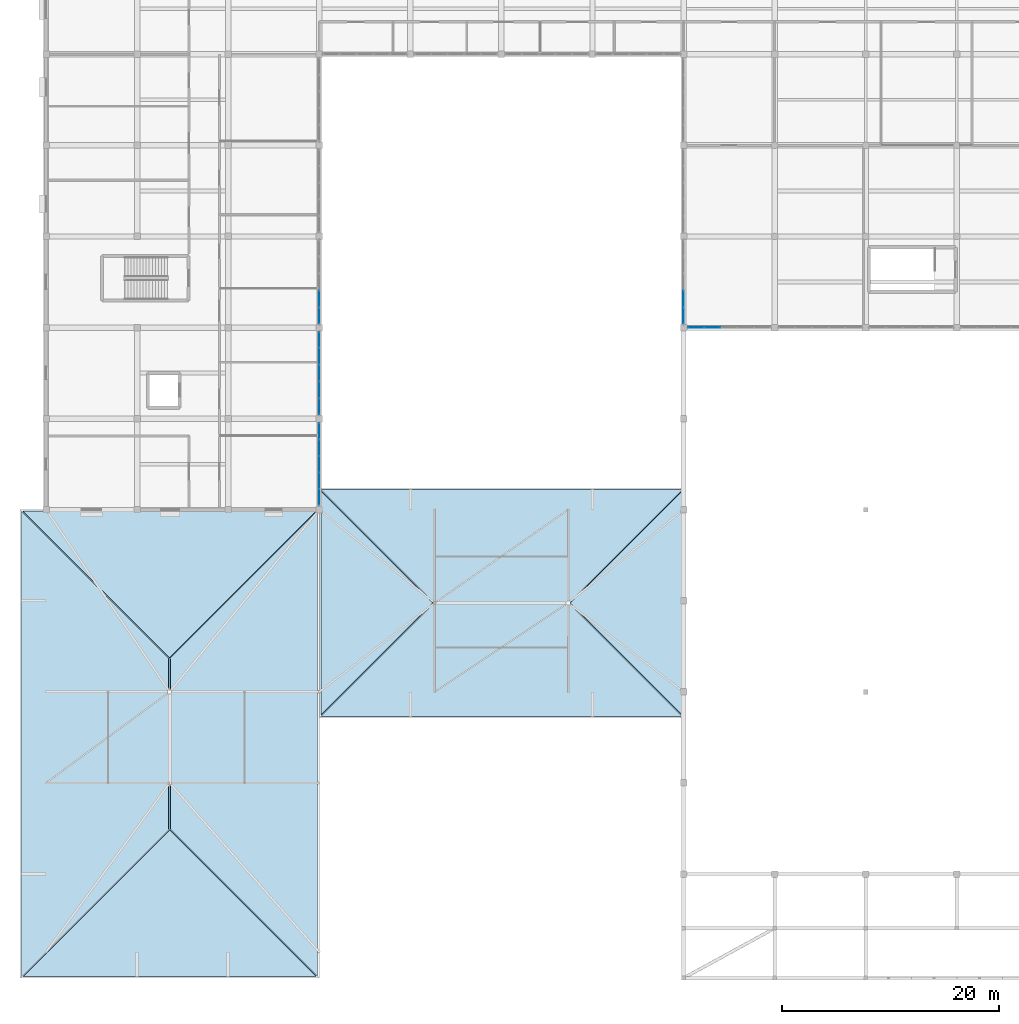
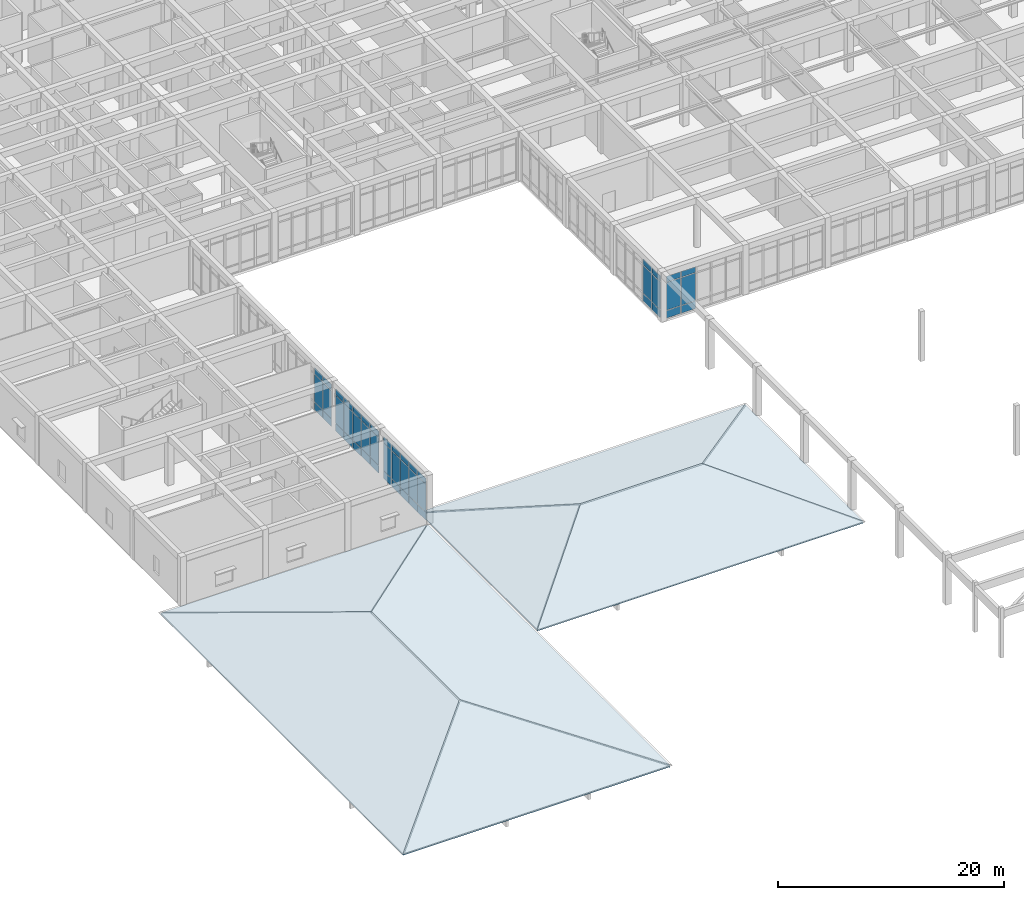
# One storey, part 39 of 89: 48 plates, 8 slabs, 5 elements without a shape of their own.
"""IFC4 building model written with IfcOpenShell, lengths in metres."""

from ifc_helpers import new_model, si_unit, direction, frame, origin, origin_2d, place, context, subcontext, project, spatial, polyline, rectangle, outline, extrude, material, layer, layer_set, type_object, element, aggregate, save


model = new_model("IFC4")

# Units and contexts
model_context = context("Model", 3, precision=1e-05, world=origin(), true_north=direction((0.0, 1.0)))
body_context = subcontext(model_context, "Body", "Model", "MODEL_VIEW")
ifc_project = project(units=[si_unit("LENGTHUNIT", "METRE"), si_unit("AREAUNIT", "SQUARE_METRE"), si_unit("VOLUMEUNIT", "CUBIC_METRE"), si_unit("PLANEANGLEUNIT", "RADIAN"), si_unit("MASSUNIT", "GRAM", prefix="KILO")], contexts=[model_context])

# Site, building, storey
site_placement = place(None, origin())
site = spatial("IfcSite", under=ifc_project, at=site_placement, CompositionType="ELEMENT")
building_placement = place(site_placement, origin())
building = spatial("IfcBuilding", under=site, at=building_placement, Name="Varncliffe General Hospital", CompositionType="ELEMENT")
storey_placement = place(building_placement, frame((0.0, 0.0, 10.800048828125)))
storey = spatial("IfcBuildingStorey", under=building, at=storey_placement, Name="L02", CompositionType="ELEMENT", Elevation=10.800048828125)

# Curtain wall, plates
ifc_material_1 = material(Name="Triple low-E argon insulated vision glazing", Category="glass")
curtain_wall_type_1 = type_object("IfcCurtainWallType", Name="Unitised Glazed Curtain Wall CW70 (7724x4640)", PredefinedType="USERDEFINED", material=ifc_material_1)
curtain_wall_1_placement = place(storey_placement, origin())
curtain_wall_1 = element("IfcCurtainWall", 1, at=curtain_wall_1_placement, inside=storey, type_object=curtain_wall_type_1, Name="L02 Glazed Curtain Wall CW70-151", ObjectType="GLAZED CURTAIN WALL", PredefinedType="USERDEFINED")
ifc_layer_1 = layer(ifc_material_1, 0.0439453125)
ifc_layer_set_1 = layer_set([ifc_layer_1], Name="Triple low-E argon insulated vision glazing")
plate_type_1 = type_object("IfcPlateType", Name="Curtain Wall Glazing Panel CP12 (44mm)", PredefinedType="CURTAIN_PANEL", material=ifc_layer_set_1)
plate_1_placement = place(storey_placement, frame((25.199951171875, 56.470947265625, 0.059814453125), z_axis=(0.0, 0.0, 1.0), x_axis=(0.0, -1.0, 0.0)))
plate_1 = element("IfcPlate", 2, at=plate_1_placement, type_object=plate_type_1, Name="CW70 panel 1.1", PredefinedType="CURTAIN_PANEL", context=body_context, shape_type="SweptSolid", body=[
    extrude(rectangle(XDim=1.432373046875, YDim=0.0439453125, at=origin_2d()), origin(), (0.0, 0.0, 1.0), 0.81005859375),
])
plate_2_placement = place(storey_placement, frame((25.199951171875, 56.470947265625, 0.929931640625), z_axis=(0.0, 0.0, 1.0), x_axis=(0.0, -1.0, 0.0)))
plate_2 = element("IfcPlate", 3, at=plate_2_placement, type_object=plate_type_1, Name="CW70 panel 1.2", PredefinedType="CURTAIN_PANEL", context=body_context, shape_type="SweptSolid", body=[
    extrude(rectangle(XDim=1.432373046875, YDim=0.0439453125, at=origin_2d()), origin(), (0.0, 0.0, 1.0), 2.97998046875),
])
plate_3_placement = place(storey_placement, frame((25.199951171875, 56.470947265625, 3.9697265625), z_axis=(0.0, 0.0, 1.0), x_axis=(0.0, -1.0, 0.0)))
plate_3 = element("IfcPlate", 4, at=plate_3_placement, type_object=plate_type_1, Name="CW70 panel 1.3", PredefinedType="CURTAIN_PANEL", context=body_context, shape_type="SweptSolid", body=[
    extrude(rectangle(XDim=1.432373046875, YDim=0.0439453125, at=origin_2d()), origin(), (0.0, 0.0, 1.0), 0.610107421875),
])
plate_4_placement = place(storey_placement, frame((25.199951171875, 54.94482421875, 0.059814453125), z_axis=(0.0, 0.0, 1.0), x_axis=(0.0, -1.0, 0.0)))
plate_4 = element("IfcPlate", 5, at=plate_4_placement, type_object=plate_type_1, Name="CW70 panel 2.1", PredefinedType="CURTAIN_PANEL", context=body_context, shape_type="SweptSolid", body=[
    extrude(rectangle(XDim=1.4697265625, YDim=0.0439453125, at=origin_2d()), origin(), (0.0, 0.0, 1.0), 0.81005859375),
])
plate_5_placement = place(storey_placement, frame((25.199951171875, 54.94482421875, 0.929931640625), z_axis=(0.0, 0.0, 1.0), x_axis=(0.0, -1.0, 0.0)))
plate_5 = element("IfcPlate", 6, at=plate_5_placement, type_object=plate_type_1, Name="CW70 panel 2.2", PredefinedType="CURTAIN_PANEL", context=body_context, shape_type="SweptSolid", body=[
    extrude(rectangle(XDim=1.4697265625, YDim=0.0439453125, at=origin_2d()), origin(), (0.0, 0.0, 1.0), 2.97998046875),
])
plate_6_placement = place(storey_placement, frame((25.199951171875, 54.94482421875, 3.9697265625), z_axis=(0.0, 0.0, 1.0), x_axis=(0.0, -1.0, 0.0)))
plate_6 = element("IfcPlate", 7, at=plate_6_placement, type_object=plate_type_1, Name="CW70 panel 2.3", PredefinedType="CURTAIN_PANEL", context=body_context, shape_type="SweptSolid", body=[
    extrude(rectangle(XDim=1.4697265625, YDim=0.0439453125, at=origin_2d()), origin(), (0.0, 0.0, 1.0), 0.610107421875),
])
plate_7_placement = place(storey_placement, frame((25.199951171875, 53.39990234375, 0.059814453125), z_axis=(0.0, 0.0, 1.0), x_axis=(0.0, -1.0, 0.0)))
plate_7 = element("IfcPlate", 8, at=plate_7_placement, type_object=plate_type_1, Name="CW70 panel 3.1", PredefinedType="CURTAIN_PANEL", context=body_context, shape_type="SweptSolid", body=[
    extrude(rectangle(XDim=1.4697265625, YDim=0.0439453125, at=origin_2d()), origin(), (0.0, 0.0, 1.0), 0.81005859375),
])
plate_8_placement = place(storey_placement, frame((25.199951171875, 53.39990234375, 0.929931640625), z_axis=(0.0, 0.0, 1.0), x_axis=(0.0, -1.0, 0.0)))
plate_8 = element("IfcPlate", 9, at=plate_8_placement, type_object=plate_type_1, Name="CW70 panel 3.2", PredefinedType="CURTAIN_PANEL", context=body_context, shape_type="SweptSolid", body=[
    extrude(rectangle(XDim=1.4697265625, YDim=0.0439453125, at=origin_2d()), origin(), (0.0, 0.0, 1.0), 2.97998046875),
])
plate_9_placement = place(storey_placement, frame((25.199951171875, 53.39990234375, 3.9697265625), z_axis=(0.0, 0.0, 1.0), x_axis=(0.0, -1.0, 0.0)))
plate_9 = element("IfcPlate", 10, at=plate_9_placement, type_object=plate_type_1, Name="CW70 panel 3.3", PredefinedType="CURTAIN_PANEL", context=body_context, shape_type="SweptSolid", body=[
    extrude(rectangle(XDim=1.4697265625, YDim=0.0439453125, at=origin_2d()), origin(), (0.0, 0.0, 1.0), 0.610107421875),
])
plate_10_placement = place(storey_placement, frame((25.199951171875, 51.855224609375, 0.059814453125), z_axis=(0.0, 0.0, 1.0), x_axis=(0.0, -1.0, 0.0)))
plate_10 = element("IfcPlate", 11, at=plate_10_placement, type_object=plate_type_1, Name="CW70 panel 4.1", PredefinedType="CURTAIN_PANEL", context=body_context, shape_type="SweptSolid", body=[
    extrude(rectangle(XDim=1.4697265625, YDim=0.0439453125, at=origin_2d()), origin(), (0.0, 0.0, 1.0), 0.81005859375),
])
plate_11_placement = place(storey_placement, frame((25.199951171875, 51.855224609375, 0.929931640625), z_axis=(0.0, 0.0, 1.0), x_axis=(0.0, -1.0, 0.0)))
plate_11 = element("IfcPlate", 12, at=plate_11_placement, type_object=plate_type_1, Name="CW70 panel 4.2", PredefinedType="CURTAIN_PANEL", context=body_context, shape_type="SweptSolid", body=[
    extrude(rectangle(XDim=1.4697265625, YDim=0.0439453125, at=origin_2d()), origin(), (0.0, 0.0, 1.0), 2.97998046875),
])
plate_12_placement = place(storey_placement, frame((25.199951171875, 51.855224609375, 3.9697265625), z_axis=(0.0, 0.0, 1.0), x_axis=(0.0, -1.0, 0.0)))
plate_12 = element("IfcPlate", 13, at=plate_12_placement, type_object=plate_type_1, Name="CW70 panel 4.3", PredefinedType="CURTAIN_PANEL", context=body_context, shape_type="SweptSolid", body=[
    extrude(rectangle(XDim=1.4697265625, YDim=0.0439453125, at=origin_2d()), origin(), (0.0, 0.0, 1.0), 0.610107421875),
])
plate_13_placement = place(storey_placement, frame((25.199951171875, 50.3291015625, 0.059814453125), z_axis=(0.0, 0.0, 1.0), x_axis=(0.0, -1.0, 0.0)))
plate_13 = element("IfcPlate", 14, at=plate_13_placement, type_object=plate_type_1, Name="CW70 panel 5.1", PredefinedType="CURTAIN_PANEL", context=body_context, shape_type="SweptSolid", body=[
    extrude(rectangle(XDim=1.432373046875, YDim=0.0439453125, at=origin_2d()), origin(), (0.0, 0.0, 1.0), 0.81005859375),
])
plate_14_placement = place(storey_placement, frame((25.199951171875, 50.3291015625, 0.929931640625), z_axis=(0.0, 0.0, 1.0), x_axis=(0.0, -1.0, 0.0)))
plate_14 = element("IfcPlate", 15, at=plate_14_placement, type_object=plate_type_1, Name="CW70 panel 5.2", PredefinedType="CURTAIN_PANEL", context=body_context, shape_type="SweptSolid", body=[
    extrude(rectangle(XDim=1.432373046875, YDim=0.0439453125, at=origin_2d()), origin(), (0.0, 0.0, 1.0), 2.97998046875),
])
plate_15_placement = place(storey_placement, frame((25.199951171875, 50.3291015625, 3.9697265625), z_axis=(0.0, 0.0, 1.0), x_axis=(0.0, -1.0, 0.0)))
plate_15 = element("IfcPlate", 16, at=plate_15_placement, type_object=plate_type_1, Name="CW70 panel 5.3", PredefinedType="CURTAIN_PANEL", context=body_context, shape_type="SweptSolid", body=[
    extrude(rectangle(XDim=1.432373046875, YDim=0.0439453125, at=origin_2d()), origin(), (0.0, 0.0, 1.0), 0.610107421875),
])
aggregate(curtain_wall_1, [plate_1, plate_2, plate_3, plate_4, plate_5, plate_6, plate_7, plate_8, plate_9, plate_10, plate_11, plate_12, plate_13, plate_14, plate_15])

curtain_wall_type_2 = type_object("IfcCurtainWallType", Name="Unitised Glazed Curtain Wall CW85 (7804x4640)", PredefinedType="USERDEFINED", material=ifc_material_1)
curtain_wall_2_placement = place(storey_placement, origin())
curtain_wall_2 = element("IfcCurtainWall", 17, at=curtain_wall_2_placement, inside=storey, type_object=curtain_wall_type_2, Name="L02 Glazed Curtain Wall CW85-141", ObjectType="GLAZED CURTAIN WALL", PredefinedType="USERDEFINED")
ifc_layer_2 = layer(ifc_material_1, 0.035888671875)
ifc_layer_set_2 = layer_set([ifc_layer_2], Name="Triple low-E argon insulated vision glazing")
plate_type_2 = type_object("IfcPlateType", Name="Curtain Wall Glazing Panel CP27 (36mm)", PredefinedType="CURTAIN_PANEL", material=ifc_layer_set_2)
plate_16_placement = place(storey_placement, frame((58.800048828125, 58.697265625, 0.06494140625), z_axis=(0.0, 0.0, 1.0), x_axis=(0.0, 1.0, 0.0)))
plate_16 = element("IfcPlate", 18, at=plate_16_placement, type_object=plate_type_2, Name="CW85 panel 1.1", PredefinedType="CURTAIN_PANEL", context=body_context, shape_type="SweptSolid", body=[
    extrude(rectangle(XDim=1.4482421875, YDim=0.035888671875, at=origin_2d()), origin(), (0.0, 0.0, 1.0), 0.802490234375),
])
plate_17_placement = place(storey_placement, frame((58.800048828125, 58.697265625, 0.932373046875), z_axis=(0.0, 0.0, 1.0), x_axis=(0.0, 1.0, 0.0)))
plate_17 = element("IfcPlate", 19, at=plate_17_placement, type_object=plate_type_2, Name="CW85 panel 1.2", PredefinedType="CURTAIN_PANEL", context=body_context, shape_type="SweptSolid", body=[
    extrude(rectangle(XDim=1.4482421875, YDim=0.035888671875, at=origin_2d()), origin(), (0.0, 0.0, 1.0), 2.97509765625),
])
plate_18_placement = place(storey_placement, frame((58.800048828125, 58.697265625, 3.972412109375), z_axis=(0.0, 0.0, 1.0), x_axis=(0.0, 1.0, 0.0)))
plate_18 = element("IfcPlate", 20, at=plate_18_placement, type_object=plate_type_2, Name="CW85 panel 1.3", PredefinedType="CURTAIN_PANEL", context=body_context, shape_type="SweptSolid", body=[
    extrude(rectangle(XDim=1.4482421875, YDim=0.035888671875, at=origin_2d()), origin(), (0.0, 0.0, 1.0), 0.6025390625),
])
plate_19_placement = place(storey_placement, frame((58.800048828125, 60.2392578125, 0.06494140625), z_axis=(0.0, 0.0, 1.0), x_axis=(0.0, 1.0, 0.0)))
plate_19 = element("IfcPlate", 21, at=plate_19_placement, type_object=plate_type_2, Name="CW85 panel 2.1", PredefinedType="CURTAIN_PANEL", context=body_context, shape_type="SweptSolid", body=[
    extrude(rectangle(XDim=1.48583984375, YDim=0.035888671875, at=origin_2d()), origin(), (0.0, 0.0, 1.0), 0.802490234375),
])
plate_20_placement = place(storey_placement, frame((58.800048828125, 60.2392578125, 0.932373046875), z_axis=(0.0, 0.0, 1.0), x_axis=(0.0, 1.0, 0.0)))
plate_20 = element("IfcPlate", 22, at=plate_20_placement, type_object=plate_type_2, Name="CW85 panel 2.2", PredefinedType="CURTAIN_PANEL", context=body_context, shape_type="SweptSolid", body=[
    extrude(rectangle(XDim=1.48583984375, YDim=0.035888671875, at=origin_2d()), origin(), (0.0, 0.0, 1.0), 2.97509765625),
])
plate_21_placement = place(storey_placement, frame((58.800048828125, 60.2392578125, 3.972412109375), z_axis=(0.0, 0.0, 1.0), x_axis=(0.0, 1.0, 0.0)))
plate_21 = element("IfcPlate", 23, at=plate_21_placement, type_object=plate_type_2, Name="CW85 panel 2.3", PredefinedType="CURTAIN_PANEL", context=body_context, shape_type="SweptSolid", body=[
    extrude(rectangle(XDim=1.48583984375, YDim=0.035888671875, at=origin_2d()), origin(), (0.0, 0.0, 1.0), 0.6025390625),
])
aggregate(curtain_wall_2, [plate_16, plate_17, plate_18, plate_19, plate_20, plate_21])

curtain_wall_3_placement = place(storey_placement, origin())
curtain_wall_3 = element("IfcCurtainWall", 24, at=curtain_wall_3_placement, inside=storey, type_object=curtain_wall_type_2, Name="L02 Glazed Curtain Wall CW85-150", ObjectType="GLAZED CURTAIN WALL", PredefinedType="USERDEFINED")
plate_22_placement = place(storey_placement, frame((25.199951171875, 60.2392578125, 0.06494140625), z_axis=(0.0, 0.0, 1.0), x_axis=(0.0, -1.0, 0.0)))
plate_22 = element("IfcPlate", 25, at=plate_22_placement, type_object=plate_type_2, Name="CW85 panel 4.1", PredefinedType="CURTAIN_PANEL", context=body_context, shape_type="SweptSolid", body=[
    extrude(rectangle(XDim=1.48583984375, YDim=0.035888671875, at=origin_2d()), origin(), (0.0, 0.0, 1.0), 0.802490234375),
])
plate_23_placement = place(storey_placement, frame((25.199951171875, 60.2392578125, 0.932373046875), z_axis=(0.0, 0.0, 1.0), x_axis=(0.0, -1.0, 0.0)))
plate_23 = element("IfcPlate", 26, at=plate_23_placement, type_object=plate_type_2, Name="CW85 panel 4.2", PredefinedType="CURTAIN_PANEL", context=body_context, shape_type="SweptSolid", body=[
    extrude(rectangle(XDim=1.48583984375, YDim=0.035888671875, at=origin_2d()), origin(), (0.0, 0.0, 1.0), 2.97509765625),
])
plate_24_placement = place(storey_placement, frame((25.199951171875, 60.2392578125, 3.972412109375), z_axis=(0.0, 0.0, 1.0), x_axis=(0.0, -1.0, 0.0)))
plate_24 = element("IfcPlate", 27, at=plate_24_placement, type_object=plate_type_2, Name="CW85 panel 4.3", PredefinedType="CURTAIN_PANEL", context=body_context, shape_type="SweptSolid", body=[
    extrude(rectangle(XDim=1.48583984375, YDim=0.035888671875, at=origin_2d()), origin(), (0.0, 0.0, 1.0), 0.6025390625),
])
plate_25_placement = place(storey_placement, frame((25.199951171875, 58.697265625, 0.06494140625), z_axis=(0.0, 0.0, 1.0), x_axis=(0.0, -1.0, 0.0)))
plate_25 = element("IfcPlate", 28, at=plate_25_placement, type_object=plate_type_2, Name="CW85 panel 5.1", PredefinedType="CURTAIN_PANEL", context=body_context, shape_type="SweptSolid", body=[
    extrude(rectangle(XDim=1.4482421875, YDim=0.035888671875, at=origin_2d()), origin(), (0.0, 0.0, 1.0), 0.802490234375),
])
plate_26_placement = place(storey_placement, frame((25.199951171875, 58.697265625, 0.932373046875), z_axis=(0.0, 0.0, 1.0), x_axis=(0.0, -1.0, 0.0)))
plate_26 = element("IfcPlate", 29, at=plate_26_placement, type_object=plate_type_2, Name="CW85 panel 5.2", PredefinedType="CURTAIN_PANEL", context=body_context, shape_type="SweptSolid", body=[
    extrude(rectangle(XDim=1.4482421875, YDim=0.035888671875, at=origin_2d()), origin(), (0.0, 0.0, 1.0), 2.97509765625),
])
plate_27_placement = place(storey_placement, frame((25.199951171875, 58.697265625, 3.972412109375), z_axis=(0.0, 0.0, 1.0), x_axis=(0.0, -1.0, 0.0)))
plate_27 = element("IfcPlate", 30, at=plate_27_placement, type_object=plate_type_2, Name="CW85 panel 5.3", PredefinedType="CURTAIN_PANEL", context=body_context, shape_type="SweptSolid", body=[
    extrude(rectangle(XDim=1.4482421875, YDim=0.035888671875, at=origin_2d()), origin(), (0.0, 0.0, 1.0), 0.6025390625),
])
aggregate(curtain_wall_3, [plate_22, plate_23, plate_24, plate_25, plate_26, plate_27])

curtain_wall_type_3 = type_object("IfcCurtainWallType", Name="Unitised Glazed Curtain Wall CW27 (7644x4640)", PredefinedType="USERDEFINED", material=ifc_material_1)
curtain_wall_4_placement = place(storey_placement, origin())
curtain_wall_4 = element("IfcCurtainWall", 31, at=curtain_wall_4_placement, inside=storey, type_object=curtain_wall_type_3, Name="L02 Glazed Curtain Wall CW27-140", ObjectType="GLAZED CURTAIN WALL", PredefinedType="USERDEFINED")
ifc_layer_3 = layer(ifc_material_1, 0.028076171875)
ifc_layer_set_3 = layer_set([ifc_layer_3], Name="Triple low-E argon insulated vision glazing")
plate_type_3 = type_object("IfcPlateType", Name="Curtain Wall Glazing Panel CP48 (28mm)", PredefinedType="CURTAIN_PANEL", material=ifc_layer_set_3)
plate_28_placement = place(storey_placement, frame((61.47119140625, 57.60009765625, 0.059814453125), z_axis=(0.0, 0.0, 1.0), x_axis=(-1.0, 0.0, 0.0)))
plate_28 = element("IfcPlate", 32, at=plate_28_placement, type_object=plate_type_3, Name="CW27 panel 4.1", PredefinedType="CURTAIN_PANEL", context=body_context, shape_type="SweptSolid", body=[
    extrude(rectangle(XDim=1.4638671875, YDim=0.028076171875, at=origin_2d()), origin(), (0.0, 0.0, 1.0), 0.81005859375),
])
plate_29_placement = place(storey_placement, frame((61.47119140625, 57.60009765625, 0.929931640625), z_axis=(0.0, 0.0, 1.0), x_axis=(-1.0, 0.0, 0.0)))
plate_29 = element("IfcPlate", 33, at=plate_29_placement, type_object=plate_type_3, Name="CW27 panel 4.2", PredefinedType="CURTAIN_PANEL", context=body_context, shape_type="SweptSolid", body=[
    extrude(rectangle(XDim=1.4638671875, YDim=0.028076171875, at=origin_2d()), origin(), (0.0, 0.0, 1.0), 2.97998046875),
])
plate_30_placement = place(storey_placement, frame((61.47119140625, 57.60009765625, 3.9697265625), z_axis=(0.0, 0.0, 1.0), x_axis=(-1.0, 0.0, 0.0)))
plate_30 = element("IfcPlate", 34, at=plate_30_placement, type_object=plate_type_3, Name="CW27 panel 4.3", PredefinedType="CURTAIN_PANEL", context=body_context, shape_type="SweptSolid", body=[
    extrude(rectangle(XDim=1.4638671875, YDim=0.028076171875, at=origin_2d()), origin(), (0.0, 0.0, 1.0), 0.610107421875),
])
plate_31_placement = place(storey_placement, frame((59.958740234375, 57.60009765625, 0.059814453125), z_axis=(0.0, 0.0, 1.0), x_axis=(-1.0, 0.0, 0.0)))
plate_31 = element("IfcPlate", 35, at=plate_31_placement, type_object=plate_type_3, Name="CW27 panel 5.1", PredefinedType="CURTAIN_PANEL", context=body_context, shape_type="SweptSolid", body=[
    extrude(rectangle(XDim=1.431396484375, YDim=0.028076171875, at=origin_2d()), origin(), (0.0, 0.0, 1.0), 0.81005859375),
])
plate_32_placement = place(storey_placement, frame((59.958740234375, 57.60009765625, 0.929931640625), z_axis=(0.0, 0.0, 1.0), x_axis=(-1.0, 0.0, 0.0)))
plate_32 = element("IfcPlate", 36, at=plate_32_placement, type_object=plate_type_3, Name="CW27 panel 5.2", PredefinedType="CURTAIN_PANEL", context=body_context, shape_type="SweptSolid", body=[
    extrude(rectangle(XDim=1.431396484375, YDim=0.028076171875, at=origin_2d()), origin(), (0.0, 0.0, 1.0), 2.97998046875),
])
plate_33_placement = place(storey_placement, frame((59.958740234375, 57.60009765625, 3.9697265625), z_axis=(0.0, 0.0, 1.0), x_axis=(-1.0, 0.0, 0.0)))
plate_33 = element("IfcPlate", 37, at=plate_33_placement, type_object=plate_type_3, Name="CW27 panel 5.3", PredefinedType="CURTAIN_PANEL", context=body_context, shape_type="SweptSolid", body=[
    extrude(rectangle(XDim=1.431396484375, YDim=0.028076171875, at=origin_2d()), origin(), (0.0, 0.0, 1.0), 0.610107421875),
])
aggregate(curtain_wall_4, [plate_28, plate_29, plate_30, plate_31, plate_32, plate_33])

curtain_wall_5_placement = place(storey_placement, origin())
curtain_wall_5 = element("IfcCurtainWall", 38, at=curtain_wall_5_placement, inside=storey, type_object=curtain_wall_type_3, Name="L02 Glazed Curtain Wall CW27-152", ObjectType="GLAZED CURTAIN WALL", PredefinedType="USERDEFINED")
plate_34_placement = place(storey_placement, frame((25.199951171875, 48.041259765625, 0.059814453125), z_axis=(0.0, 0.0, 1.0), x_axis=(0.0, -1.0, 0.0)))
plate_34 = element("IfcPlate", 39, at=plate_34_placement, type_object=plate_type_3, Name="CW27 panel 1.1", PredefinedType="CURTAIN_PANEL", context=body_context, shape_type="SweptSolid", body=[
    extrude(rectangle(XDim=1.431396484375, YDim=0.028076171875, at=origin_2d()), origin(), (0.0, 0.0, 1.0), 0.81005859375),
])
plate_35_placement = place(storey_placement, frame((25.199951171875, 48.041259765625, 0.929931640625), z_axis=(0.0, 0.0, 1.0), x_axis=(0.0, -1.0, 0.0)))
plate_35 = element("IfcPlate", 40, at=plate_35_placement, type_object=plate_type_3, Name="CW27 panel 1.2", PredefinedType="CURTAIN_PANEL", context=body_context, shape_type="SweptSolid", body=[
    extrude(rectangle(XDim=1.431396484375, YDim=0.028076171875, at=origin_2d()), origin(), (0.0, 0.0, 1.0), 2.97998046875),
])
plate_36_placement = place(storey_placement, frame((25.199951171875, 48.041259765625, 3.9697265625), z_axis=(0.0, 0.0, 1.0), x_axis=(0.0, -1.0, 0.0)))
plate_36 = element("IfcPlate", 41, at=plate_36_placement, type_object=plate_type_3, Name="CW27 panel 1.3", PredefinedType="CURTAIN_PANEL", context=body_context, shape_type="SweptSolid", body=[
    extrude(rectangle(XDim=1.431396484375, YDim=0.028076171875, at=origin_2d()), origin(), (0.0, 0.0, 1.0), 0.610107421875),
])
plate_37_placement = place(storey_placement, frame((25.199951171875, 46.52880859375, 0.059814453125), z_axis=(0.0, 0.0, 1.0), x_axis=(0.0, -1.0, 0.0)))
plate_37 = element("IfcPlate", 42, at=plate_37_placement, type_object=plate_type_3, Name="CW27 panel 2.1", PredefinedType="CURTAIN_PANEL", context=body_context, shape_type="SweptSolid", body=[
    extrude(rectangle(XDim=1.4638671875, YDim=0.028076171875, at=origin_2d()), origin(), (0.0, 0.0, 1.0), 0.81005859375),
])
plate_38_placement = place(storey_placement, frame((25.199951171875, 46.52880859375, 0.929931640625), z_axis=(0.0, 0.0, 1.0), x_axis=(0.0, -1.0, 0.0)))
plate_38 = element("IfcPlate", 43, at=plate_38_placement, type_object=plate_type_3, Name="CW27 panel 2.2", PredefinedType="CURTAIN_PANEL", context=body_context, shape_type="SweptSolid", body=[
    extrude(rectangle(XDim=1.4638671875, YDim=0.028076171875, at=origin_2d()), origin(), (0.0, 0.0, 1.0), 2.97998046875),
])
plate_39_placement = place(storey_placement, frame((25.199951171875, 46.52880859375, 3.9697265625), z_axis=(0.0, 0.0, 1.0), x_axis=(0.0, -1.0, 0.0)))
plate_39 = element("IfcPlate", 44, at=plate_39_placement, type_object=plate_type_3, Name="CW27 panel 2.3", PredefinedType="CURTAIN_PANEL", context=body_context, shape_type="SweptSolid", body=[
    extrude(rectangle(XDim=1.4638671875, YDim=0.028076171875, at=origin_2d()), origin(), (0.0, 0.0, 1.0), 0.610107421875),
])
plate_40_placement = place(storey_placement, frame((25.199951171875, 45.0, 0.059814453125), z_axis=(0.0, 0.0, 1.0), x_axis=(0.0, -1.0, 0.0)))
plate_40 = element("IfcPlate", 45, at=plate_40_placement, type_object=plate_type_3, Name="CW27 panel 3.1", PredefinedType="CURTAIN_PANEL", context=body_context, shape_type="SweptSolid", body=[
    extrude(rectangle(XDim=1.4638671875, YDim=0.028076171875, at=origin_2d()), origin(), (0.0, 0.0, 1.0), 0.81005859375),
])
plate_41_placement = place(storey_placement, frame((25.199951171875, 45.0, 0.929931640625), z_axis=(0.0, 0.0, 1.0), x_axis=(0.0, -1.0, 0.0)))
plate_41 = element("IfcPlate", 46, at=plate_41_placement, type_object=plate_type_3, Name="CW27 panel 3.2", PredefinedType="CURTAIN_PANEL", context=body_context, shape_type="SweptSolid", body=[
    extrude(rectangle(XDim=1.4638671875, YDim=0.028076171875, at=origin_2d()), origin(), (0.0, 0.0, 1.0), 2.97998046875),
])
plate_42_placement = place(storey_placement, frame((25.199951171875, 45.0, 3.9697265625), z_axis=(0.0, 0.0, 1.0), x_axis=(0.0, -1.0, 0.0)))
plate_42 = element("IfcPlate", 47, at=plate_42_placement, type_object=plate_type_3, Name="CW27 panel 3.3", PredefinedType="CURTAIN_PANEL", context=body_context, shape_type="SweptSolid", body=[
    extrude(rectangle(XDim=1.4638671875, YDim=0.028076171875, at=origin_2d()), origin(), (0.0, 0.0, 1.0), 0.610107421875),
])
plate_43_placement = place(storey_placement, frame((25.199951171875, 43.47119140625, 0.059814453125), z_axis=(0.0, 0.0, 1.0), x_axis=(0.0, -1.0, 0.0)))
plate_43 = element("IfcPlate", 48, at=plate_43_placement, type_object=plate_type_3, Name="CW27 panel 4.1", PredefinedType="CURTAIN_PANEL", context=body_context, shape_type="SweptSolid", body=[
    extrude(rectangle(XDim=1.4638671875, YDim=0.028076171875, at=origin_2d()), origin(), (0.0, 0.0, 1.0), 0.81005859375),
])
plate_44_placement = place(storey_placement, frame((25.199951171875, 43.47119140625, 0.929931640625), z_axis=(0.0, 0.0, 1.0), x_axis=(0.0, -1.0, 0.0)))
plate_44 = element("IfcPlate", 49, at=plate_44_placement, type_object=plate_type_3, Name="CW27 panel 4.2", PredefinedType="CURTAIN_PANEL", context=body_context, shape_type="SweptSolid", body=[
    extrude(rectangle(XDim=1.4638671875, YDim=0.028076171875, at=origin_2d()), origin(), (0.0, 0.0, 1.0), 2.97998046875),
])
plate_45_placement = place(storey_placement, frame((25.199951171875, 43.47119140625, 3.9697265625), z_axis=(0.0, 0.0, 1.0), x_axis=(0.0, -1.0, 0.0)))
plate_45 = element("IfcPlate", 50, at=plate_45_placement, type_object=plate_type_3, Name="CW27 panel 4.3", PredefinedType="CURTAIN_PANEL", context=body_context, shape_type="SweptSolid", body=[
    extrude(rectangle(XDim=1.4638671875, YDim=0.028076171875, at=origin_2d()), origin(), (0.0, 0.0, 1.0), 0.610107421875),
])
plate_46_placement = place(storey_placement, frame((25.199951171875, 41.958740234375, 0.059814453125), z_axis=(0.0, 0.0, 1.0), x_axis=(0.0, -1.0, 0.0)))
plate_46 = element("IfcPlate", 51, at=plate_46_placement, type_object=plate_type_3, Name="CW27 panel 5.1", PredefinedType="CURTAIN_PANEL", context=body_context, shape_type="SweptSolid", body=[
    extrude(rectangle(XDim=1.431396484375, YDim=0.028076171875, at=origin_2d()), origin(), (0.0, 0.0, 1.0), 0.81005859375),
])
plate_47_placement = place(storey_placement, frame((25.199951171875, 41.958740234375, 0.929931640625), z_axis=(0.0, 0.0, 1.0), x_axis=(0.0, -1.0, 0.0)))
plate_47 = element("IfcPlate", 52, at=plate_47_placement, type_object=plate_type_3, Name="CW27 panel 5.2", PredefinedType="CURTAIN_PANEL", context=body_context, shape_type="SweptSolid", body=[
    extrude(rectangle(XDim=1.431396484375, YDim=0.028076171875, at=origin_2d()), origin(), (0.0, 0.0, 1.0), 2.97998046875),
])
plate_48_placement = place(storey_placement, frame((25.199951171875, 41.958740234375, 3.9697265625), z_axis=(0.0, 0.0, 1.0), x_axis=(0.0, -1.0, 0.0)))
plate_48 = element("IfcPlate", 53, at=plate_48_placement, type_object=plate_type_3, Name="CW27 panel 5.3", PredefinedType="CURTAIN_PANEL", context=body_context, shape_type="SweptSolid", body=[
    extrude(rectangle(XDim=1.431396484375, YDim=0.028076171875, at=origin_2d()), origin(), (0.0, 0.0, 1.0), 0.610107421875),
])
aggregate(curtain_wall_5, [plate_34, plate_35, plate_36, plate_37, plate_38, plate_39, plate_40, plate_41, plate_42, plate_43, plate_44, plate_45, plate_46, plate_47, plate_48])

# Slabs
ifc_material_2 = material(Name="Concrete C35/45 (CSA A23.1 35 MPa)", Category="concrete")
ifc_layer_4 = layer(ifc_material_2, 0.219970703125)
ifc_layer_set_4 = layer_set([ifc_layer_4], Name="Concrete C35/45 (CSA A23.1 35 MPa)")
slab_type_1 = type_object("IfcSlabType", Name="Roof Slab SL11 (Ext 220mm)", PredefinedType="ROOF", material=ifc_layer_set_4)
slab_1_placement = place(storey_placement, frame((-2.260009765625, 40.659912109375, 0.0), z_axis=(-0.254829191502, 0.0, 0.966986082195), x_axis=(0.0, -1.0, 0.0)))
element("IfcSlab", 54, at=slab_1_placement, inside=storey, type_object=slab_type_1, Name="L02 RF-V2-W Hipped Roof Slab W", PredefinedType="ROOF", context=body_context, shape_type="SweptSolid", body=[
    extrude(outline(polyline([(0.0, 0.0), (42.919921875, 0.0), (29.35888671875, 14.024023102245678), (13.560791015625, 14.024023102245678), (0.0, 0.0)])), origin(), (0.0, 0.0, -1.0), 0.219970703125),
])
slab_2_placement = place(storey_placement, frame((25.06005859375, -2.260009765625, 0.0), z_axis=(0.254829191502, 0.0, 0.966986082195), x_axis=(0.0, 1.0, 0.0)))
element("IfcSlab", 55, at=slab_2_placement, inside=storey, type_object=slab_type_1, Name="L02 RF-V2-W Hipped Roof Slab E", PredefinedType="ROOF", context=body_context, shape_type="SweptSolid", body=[
    extrude(outline(polyline([(0.0, 0.0), (42.919921875, 0.0), (29.359130859375, 14.024023102245678), (13.56103515625, 14.024023102245678), (0.0, 0.0)])), origin(), (0.0, 0.0, -1.0), 0.219970703125),
])
for number, where, z_axis, x_axis, name in (
    (56, (-2.1201171875, -2.260009765625, 0.0), (0.0, -0.254833647747, 0.966984907833), (1.0, 0.0, 0.0), "L02 RF-V2-W Hipped Roof Slab S"),
    (57, (24.919921875, 40.659912109375, 0.0), (0.0, 0.254833647747, 0.966984907833), (-1.0, 0.0, 0.0), "L02 RF-V2-W Hipped Roof Slab N"),
):
    element("IfcSlab", number, at=place(storey_placement, frame(where, z_axis=z_axis, x_axis=x_axis)), inside=storey, type_object=slab_type_1, Name=name, PredefinedType="ROOF", context=body_context, shape_type="SweptSolid", body=[
        extrude(outline(polyline([(0.0, 0.0), (27.0400390625, 0.0), (13.52001953125, 13.981624140911038), (0.0, 0.0)])), origin(), (0.0, 0.0, -1.0), 0.219970703125),
    ])
ifc_layer_5 = layer(ifc_material_2, 0.199951171875)
ifc_layer_set_5 = layer_set([ifc_layer_5], Name="Concrete C35/45 (CSA A23.1 35 MPa)")
slab_type_2 = type_object("IfcSlabType", Name="Roof Slab SL43 (Ext 200mm)", PredefinedType="ROOF", material=ifc_layer_set_5)
slab_3_placement = place(storey_placement, frame((25.340087890625, 21.739990234375, 0.0), z_axis=(0.0, -0.325430320093, 0.94556602454), x_axis=(1.0, 0.0, 0.0)))
element("IfcSlab", 58, at=slab_3_placement, inside=storey, type_object=slab_type_2, Name="L02 RF-V2-S Hipped Roof Slab S", PredefinedType="ROOF", context=body_context, shape_type="SweptSolid", body=[
    extrude(outline(polyline([(0.0, 0.0), (33.31982421875, 0.0), (22.958984375, 10.957546819025064), (10.36083984375, 10.957546819025064), (0.0, 0.0)])), origin(), (0.0, 0.0, -1.0), 0.199951171875),
])
slab_4_placement = place(storey_placement, frame((58.659912109375, 42.659912109375, 0.0), z_axis=(0.0, 0.32543717632, 0.945563664842), x_axis=(-1.0, 0.0, 0.0)))
element("IfcSlab", 59, at=slab_4_placement, inside=storey, type_object=slab_type_2, Name="L02 RF-V2-S Hipped Roof Slab N", PredefinedType="ROOF", context=body_context, shape_type="SweptSolid", body=[
    extrude(outline(polyline([(0.0, 0.0), (33.31982421875, 0.0), (22.958984375, 10.957315968232898), (10.36083984375, 10.957315968232898), (0.0, 0.0)])), origin(), (0.0, 0.0, -1.0), 0.199951171875),
])
for number, where, z_axis, x_axis, name in (
    (60, (25.340087890625, 42.52001953125, 0.0), (-0.32543359642, 0.0, 0.945564896938), (0.0, -1.0, 0.0), "L02 RF-V2-S Hipped Roof Slab W"),
    (61, (58.659912109375, 21.8798828125, 0.0), (0.32543359642, 0.0, 0.945564896938), (0.0, 1.0, 0.0), "L02 RF-V2-S Hipped Roof Slab E"),
):
    element("IfcSlab", number, at=place(storey_placement, frame(where, z_axis=z_axis, x_axis=x_axis)), inside=storey, type_object=slab_type_2, Name=name, PredefinedType="ROOF", context=body_context, shape_type="SweptSolid", body=[
        extrude(outline(polyline([(0.0, 0.0), (20.64013671875, 0.0), (10.320068359375, 10.913924842354096), (0.0, 0.0)])), origin(), (0.0, 0.0, -1.0), 0.199951171875),
    ])

save(model, "model.ifc")
